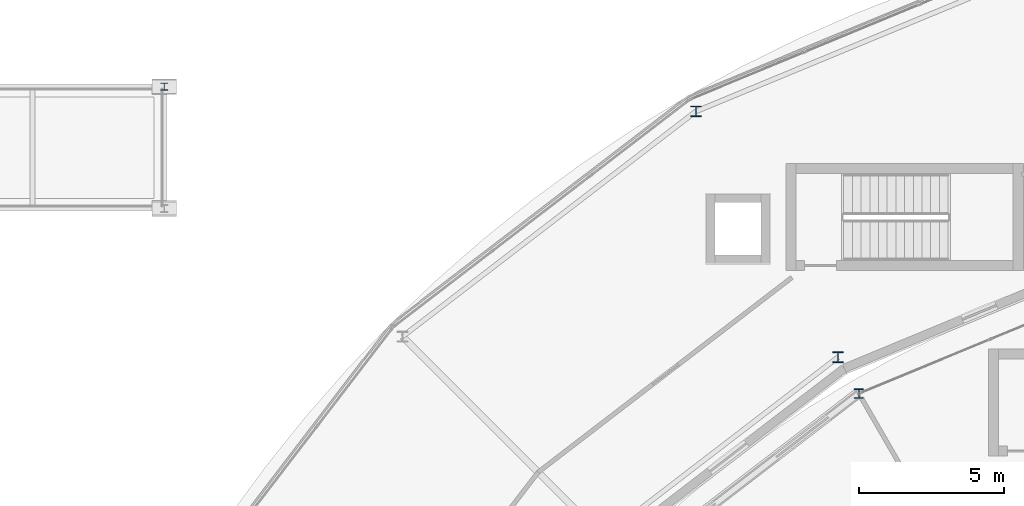
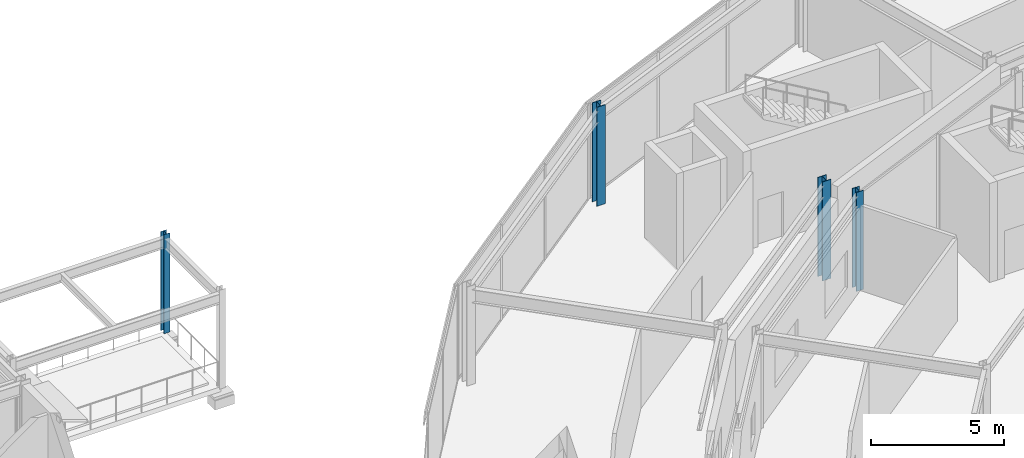
# One storey, part 12 of 157: 4 columns.
"""IFC4 building model written with IfcOpenShell, lengths in metres."""

from ifc_helpers import new_model, si_unit, direction, frame, origin, origin_2d, place, context, subcontext, project, spatial, i_section, extrude, material, material_profile, profile_set, type_object, element, save


model = new_model("IFC4")

# Units and contexts
model_context = context("Model", 3, precision=1e-05, world=origin(), true_north=direction((0.0, 1.0)))
body_context = subcontext(model_context, "Body", "Model", "MODEL_VIEW")
ifc_project = project(units=[si_unit("LENGTHUNIT", "METRE"), si_unit("AREAUNIT", "SQUARE_METRE"), si_unit("VOLUMEUNIT", "CUBIC_METRE"), si_unit("PLANEANGLEUNIT", "RADIAN"), si_unit("MASSUNIT", "GRAM", prefix="KILO")], contexts=[model_context])

# Site, building, storey
site_placement = place(None, origin())
site = spatial("IfcSite", under=ifc_project, at=site_placement, CompositionType="ELEMENT")
building_placement = place(site_placement, origin())
building = spatial("IfcBuilding", under=site, at=building_placement, Name="Almandine Court Research Institute", CompositionType="ELEMENT")
storey_placement = place(building_placement, frame((0.0, 0.0, 5.25)))
storey = spatial("IfcBuildingStorey", under=building, at=storey_placement, Name="L01", CompositionType="ELEMENT", Elevation=5.25)

# Columns
ifc_material = material(Name="Steel ASTM A992 Grade 50", Category="steel")
ifc_material_profile_1 = material_profile(ifc_material, i_section(OverallWidth=0.373046875, OverallDepth=0.367919921875, WebThickness=0.01708984375, FlangeThickness=0.027099609375, at=origin_2d()), Name="W360x179")
ifc_profile_set_1 = profile_set([ifc_material_profile_1], Name="Steel ASTM A992 Grade 50")
column_type_1 = type_object("IfcColumnType", Name="Col-C-W03-E", PredefinedType="COLUMN", material=ifc_profile_set_1)
for number, where, z_axis, x_axis, name in (
    (1, (67.449951171875, 89.862060546875, 0.0), (0.0, 0.0, 1.0), (1.0, 0.0, 0.0), "L01 V5 Column V5-IN-S08"),
    (2, (62.550048828125, 98.34912109375, 0.0), (0.0, 0.0, 1.0), (1.0, 0.0, 0.0), "L01 V5 Column V5-OUT-S08"),
):
    element("IfcColumn", number, at=place(storey_placement, frame(where, z_axis=z_axis, x_axis=x_axis)), inside=storey, type_object=column_type_1, Name=name, PredefinedType="COLUMN", context=body_context, shape_type="SweptSolid", body=[
        extrude(i_section(OverallWidth=0.373046875, OverallDepth=0.367919921875, WebThickness=0.01708984375, FlangeThickness=0.027099609375, at=origin_2d()), origin(), (0.0, 0.0, 1.0), 4.550048828125),
    ])
ifc_material_profile_2 = material_profile(ifc_material, i_section(OverallWidth=0.31005859375, OverallDepth=0.326904296875, WebThickness=0.01611328125, FlangeThickness=0.02490234375, at=origin_2d()), Name="W310x158")
ifc_profile_set_2 = profile_set([ifc_material_profile_2], Name="Steel ASTM A992 Grade 50")
column_type_2 = type_object("IfcColumnType", Name="Col-C-W06", PredefinedType="COLUMN", material=ifc_profile_set_2)
column_1_placement = place(storey_placement, frame((68.175048828125, 88.60595703125, 0.0), z_axis=(0.0, 0.0, 1.0), x_axis=(1.0, 0.0, 0.0)))
element("IfcColumn", 3, at=column_1_placement, inside=storey, type_object=column_type_2, Name="L01 V2 Column V2-OUT-S08", PredefinedType="COLUMN", context=body_context, shape_type="SweptSolid", body=[
    extrude(i_section(OverallWidth=0.31005859375, OverallDepth=0.326904296875, WebThickness=0.01611328125, FlangeThickness=0.02490234375, at=origin_2d()), origin(), (0.0, 0.0, 1.0), 4.550048828125),
])
ifc_material_profile_3 = material_profile(ifc_material, i_section(OverallWidth=0.25390625, OverallDepth=0.2529296875, WebThickness=0.009033203125, FlangeThickness=0.013916015625, at=origin_2d()), Name="W250x73")
ifc_profile_set_3 = profile_set([ifc_material_profile_3], Name="Steel ASTM A992 Grade 50")
column_type_3 = type_object("IfcColumnType", Name="Col-C-W10-E", PredefinedType="COLUMN", material=ifc_profile_set_3)
column_2_placement = place(storey_placement, frame((44.199951171875, 99.199951171875, 0.0), z_axis=(0.0, 0.0, 1.0), x_axis=(1.0, 0.0, 0.0)))
element("IfcColumn", 4, at=column_2_placement, inside=storey, type_object=column_type_3, Name="L01 DAL-NW Column DAL-NW-X2Y2", PredefinedType="COLUMN", context=body_context, shape_type="SweptSolid", body=[
    extrude(i_section(OverallWidth=0.25390625, OverallDepth=0.2529296875, WebThickness=0.009033203125, FlangeThickness=0.013916015625, at=origin_2d()), origin(), (0.0, 0.0, 1.0), 4.550048828125),
])

save(model, "model.ifc")
